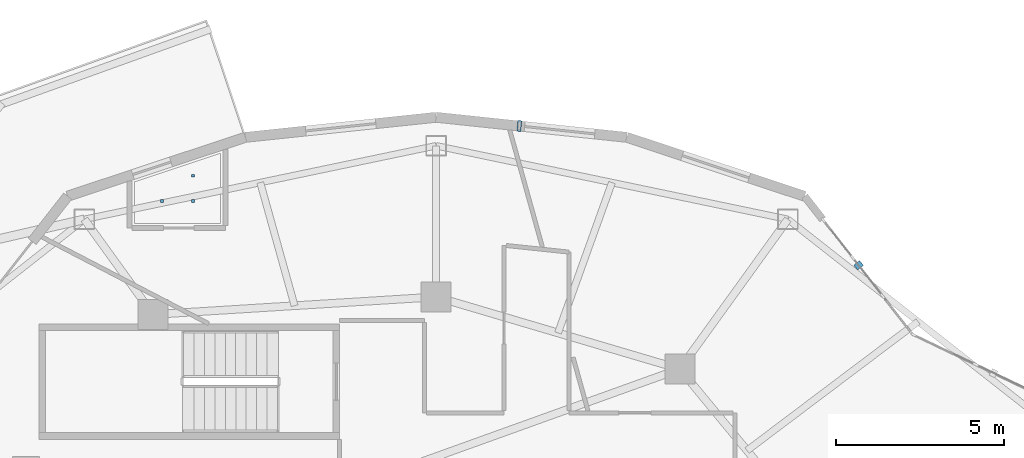
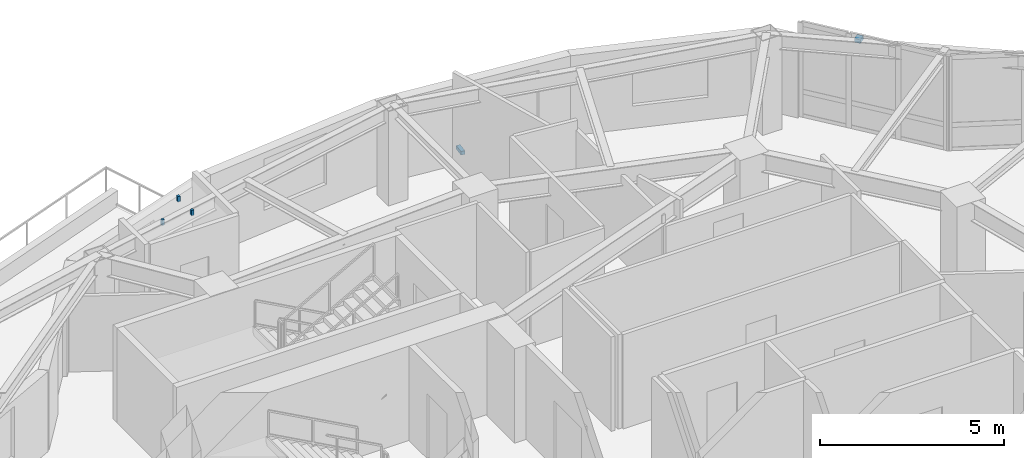
# One storey, part 14 of 18: 5 discrete accessories.
"""IFC4 building model written with IfcOpenShell, lengths in metres."""

from ifc_helpers import new_model, si_unit, direction, frame, origin, origin_2d, place, context, subcontext, project, spatial, rectangle, extrude, material, type_object, element, save


model = new_model("IFC4")

# Units and contexts
model_context = context("Model", 3, precision=1e-05, world=origin(), true_north=direction((0.0, 1.0)))
body_context = subcontext(model_context, "Body", "Model", "MODEL_VIEW")
ifc_project = project(units=[si_unit("LENGTHUNIT", "METRE"), si_unit("AREAUNIT", "SQUARE_METRE"), si_unit("VOLUMEUNIT", "CUBIC_METRE"), si_unit("PLANEANGLEUNIT", "RADIAN"), si_unit("MASSUNIT", "GRAM", prefix="KILO")], contexts=[model_context])

# Site, building, storey
site_placement = place(None, origin())
site = spatial("IfcSite", under=ifc_project, at=site_placement, CompositionType="ELEMENT")
building_placement = place(site_placement, origin())
building = spatial("IfcBuilding", under=site, at=building_placement, Name="Kolvaren Gate Tower and Convention Centre", CompositionType="ELEMENT")
storey_placement = place(building_placement, frame((0.0, 0.0, 176.699951171875)))
storey = spatial("IfcBuildingStorey", under=building, at=storey_placement, Name="L46", CompositionType="ELEMENT", Elevation=176.699951171875)

# Discrete accessories
ifc_material_1 = material(Name="Anodized Architectural Aluminium Alloy 6063-T6", Category="aluminium")
discrete_accessory_type_1 = type_object("IfcDiscreteAccessoryType", Name="ARCH-ACC-BRACKET-120", PredefinedType="BRACKET", material=ifc_material_1)
discrete_accessory_1_placement = place(storey_placement, frame((42.70361328125, 40.142333984375, 2.949951171875), z_axis=(0.0, 0.0, 1.0), x_axis=(0.616434119112, -0.787406487651, 0.0)))
element("IfcDiscreteAccessory", 1, at=discrete_accessory_1_placement, inside=storey, type_object=discrete_accessory_type_1, Name="Solar Screen Spandrel Anchor Bracket BK-L46-03", PredefinedType="BRACKET", context=body_context, shape_type="SweptSolid", body=[
    extrude(rectangle(XDim=0.179931640625, YDim=0.219970703125, at=origin_2d()), origin(), (0.0, 0.0, 1.0), 0.1201171875),
])
discrete_accessory_2_placement = place(storey_placement, frame((32.601318359375, 44.289306640625, 0.2900390625), z_axis=(0.0, 0.0, 1.0), x_axis=(0.994499249941, -0.104743696069, 0.0)))
element("IfcDiscreteAccessory", 2, at=discrete_accessory_2_placement, inside=storey, type_object=discrete_accessory_type_1, Name="Ceramic Fin Wall Anchor Bracket FBK-L46-05", PredefinedType="BRACKET", context=body_context, shape_type="SweptSolid", body=[
    extrude(rectangle(XDim=0.1201171875, YDim=0.320068359375, at=origin_2d()), origin(), (0.0, 0.0, 1.0), 0.1201171875),
])
ifc_material_2 = material(Name="Brushed Stainless Steel Grade 316L", Category="steel")
discrete_accessory_type_2 = type_object("IfcDiscreteAccessoryType", Name="ARCH-ACC-HANGER-80", PredefinedType="BRACKET", material=ifc_material_2)
for number, where, z_axis, x_axis, name in (
    (3, (21.9619140625, 42.05810546875, 2.9501953125), (0.0, 0.0, 1.0), (1.0, 0.0, 0.0), "En-suite Bathroom (HTL-L46-06) Ceiling Suspension Hanger Clip 1"),
    (4, (22.887939453125, 42.05810546875, 2.9501953125), (0.0, 0.0, 1.0), (1.0, 0.0, 0.0), "En-suite Bathroom (HTL-L46-06) Ceiling Suspension Hanger Clip 2"),
    (5, (22.887939453125, 42.80908203125, 2.9501953125), (0.0, 0.0, 1.0), (1.0, 0.0, 0.0), "En-suite Bathroom (HTL-L46-06) Ceiling Suspension Hanger Clip 3"),
):
    element("IfcDiscreteAccessory", number, at=place(storey_placement, frame(where, z_axis=z_axis, x_axis=x_axis)), inside=storey, type_object=discrete_accessory_type_2, Name=name, PredefinedType="BRACKET", context=body_context, shape_type="SweptSolid", body=[
        extrude(rectangle(XDim=0.080078125, YDim=0.080078125, at=origin_2d()), origin(), (0.0, 0.0, 1.0), 0.179931640625),
    ])

save(model, "model.ifc")
